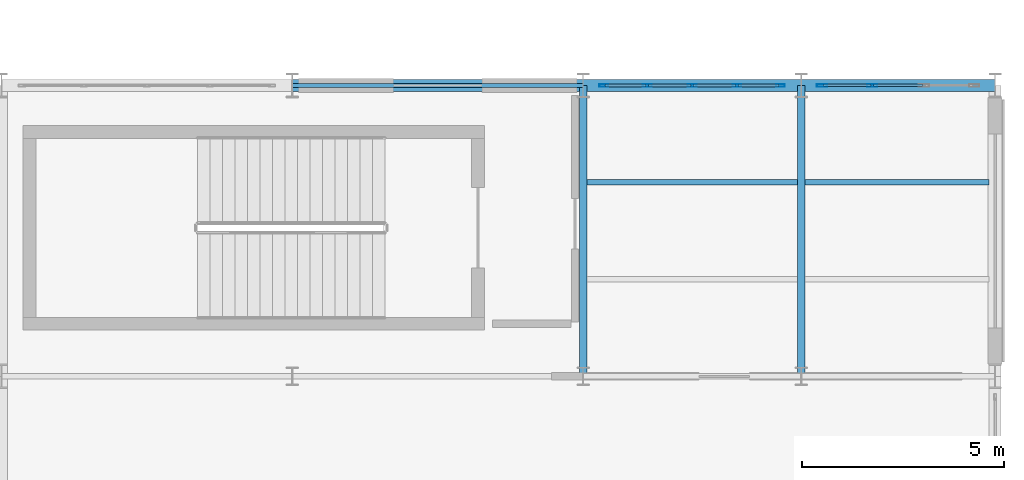
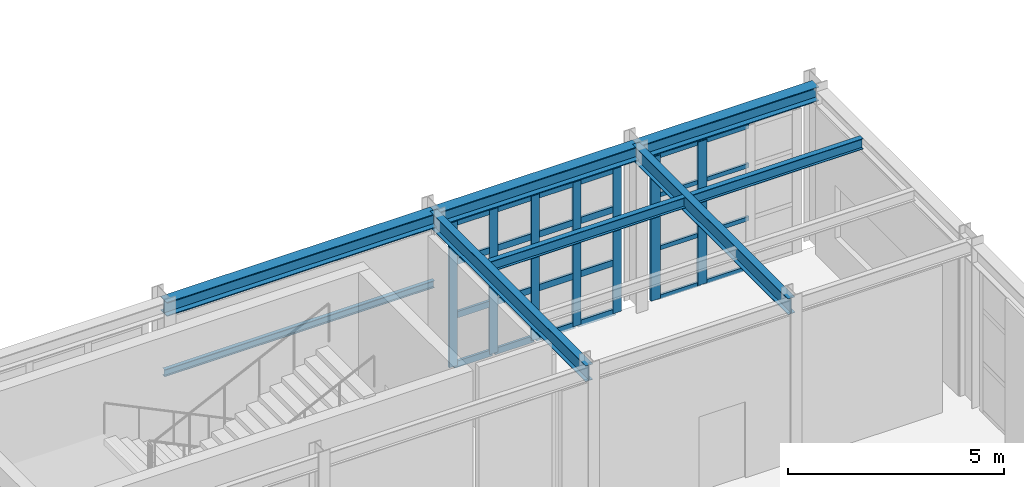
# One storey, part 45 of 83: 31 members, 8 beams, 2 elements without a shape of their own.
"""IFC4 building model written with IfcOpenShell, lengths in metres."""

from ifc_helpers import new_model, si_unit, direction, frame, origin, origin_2d, place, context, subcontext, project, spatial, hollow_rectangle, i_section, extrude, material, layer, layer_set, material_profile, profile_set, type_object, element, aggregate, save


model = new_model("IFC4")

# Units and contexts
model_context = context("Model", 3, precision=1e-05, world=origin(), true_north=direction((0.0, 1.0)))
body_context = subcontext(model_context, "Body", "Model", "MODEL_VIEW")
ifc_project = project(units=[si_unit("LENGTHUNIT", "METRE"), si_unit("AREAUNIT", "SQUARE_METRE"), si_unit("VOLUMEUNIT", "CUBIC_METRE"), si_unit("PLANEANGLEUNIT", "RADIAN"), si_unit("MASSUNIT", "GRAM", prefix="KILO")], contexts=[model_context])

# Site, building, storey
site_placement = place(None, origin())
site = spatial("IfcSite", under=ifc_project, at=site_placement, CompositionType="ELEMENT")
building_placement = place(site_placement, origin())
building = spatial("IfcBuilding", under=site, at=building_placement, Name="Solvadek Multi-Sports Hall", CompositionType="ELEMENT")
storey_placement = place(building_placement, origin())
storey = spatial("IfcBuildingStorey", under=building, at=storey_placement, Name="L00", CompositionType="ELEMENT", Elevation=0.0)

# Curtain wall, members
ifc_material_1 = material(Name="Anodised aluminium", Category="aluminium")
ifc_layer_1 = layer(ifc_material_1, 0.159912109375, Name="Anodised aluminium")
ifc_layer_set_1 = layer_set([ifc_layer_1], Name="Anodised aluminium")
curtain_wall_type_1 = type_object("IfcCurtainWallType", Name="ENV-CW-444X408", PredefinedType="USERDEFINED", material=ifc_layer_set_1)
curtain_wall_1_placement = place(storey_placement, origin())
curtain_wall_1 = element("IfcCurtainWall", 1, at=curtain_wall_1_placement, inside=storey, type_object=curtain_wall_type_1, Name="L00 Perimeter Bay Curtain Wall #136", ObjectType="CURTAIN WALL", PredefinedType="USERDEFINED")
ifc_material_profile_1 = material_profile(ifc_material_1, hollow_rectangle(XDim=0.06494140625, YDim=0.219970703125, WallThickness=0.0048828125, at=origin_2d()), Name="ALU-M 220x65x5")
ifc_profile_set_1 = profile_set([ifc_material_profile_1], Name="Anodised aluminium")
member_type_1 = type_object("IfcMemberType", Name="ENV-CWM-04", PredefinedType="MULLION", material=ifc_profile_set_1)
member_1_placement = place(storey_placement, frame((151.71240234375, 70.800048828125, 0.0), z_axis=(0.0, 0.0, 1.0), x_axis=(0.0, 1.0, 0.0)))
member_1 = element("IfcMember", 2, at=member_1_placement, type_object=member_type_1, Name="CW-45 mullion 1", PredefinedType="MULLION", context=body_context, shape_type="SweptSolid", body=[
    extrude(hollow_rectangle(XDim=0.06494140625, YDim=0.219970703125, WallThickness=0.0048828125, at=origin_2d()), origin(), (0.0, 0.0, 1.0), 4.074951171875),
])
member_2_placement = place(storey_placement, frame((152.7900390625, 70.800048828125, 0.0), z_axis=(0.0, 0.0, 1.0), x_axis=(0.0, 1.0, 0.0)))
member_2 = element("IfcMember", 3, at=member_2_placement, type_object=member_type_1, Name="CW-45 mullion 2", PredefinedType="MULLION", context=body_context, shape_type="SweptSolid", body=[
    extrude(hollow_rectangle(XDim=0.06494140625, YDim=0.219970703125, WallThickness=0.0048828125, at=origin_2d()), origin(), (0.0, 0.0, 1.0), 4.074951171875),
])
member_3_placement = place(storey_placement, frame((153.89990234375, 70.800048828125, 0.0), z_axis=(0.0, 0.0, 1.0), x_axis=(0.0, 1.0, 0.0)))
member_3 = element("IfcMember", 4, at=member_3_placement, type_object=member_type_1, Name="CW-45 mullion 3", PredefinedType="MULLION", context=body_context, shape_type="SweptSolid", body=[
    extrude(hollow_rectangle(XDim=0.06494140625, YDim=0.219970703125, WallThickness=0.0048828125, at=origin_2d()), origin(), (0.0, 0.0, 1.0), 4.074951171875),
])
member_4_placement = place(storey_placement, frame((155.010009765625, 70.800048828125, 0.0), z_axis=(0.0, 0.0, 1.0), x_axis=(0.0, 1.0, 0.0)))
member_4 = element("IfcMember", 5, at=member_4_placement, type_object=member_type_1, Name="CW-45 mullion 4", PredefinedType="MULLION", context=body_context, shape_type="SweptSolid", body=[
    extrude(hollow_rectangle(XDim=0.06494140625, YDim=0.219970703125, WallThickness=0.0048828125, at=origin_2d()), origin(), (0.0, 0.0, 1.0), 4.074951171875),
])
member_5_placement = place(storey_placement, frame((156.08740234375, 70.800048828125, 0.0), z_axis=(0.0, 0.0, 1.0), x_axis=(0.0, 1.0, 0.0)))
member_5 = element("IfcMember", 6, at=member_5_placement, type_object=member_type_1, Name="CW-45 mullion 5", PredefinedType="MULLION", context=body_context, shape_type="SweptSolid", body=[
    extrude(hollow_rectangle(XDim=0.06494140625, YDim=0.219970703125, WallThickness=0.0048828125, at=origin_2d()), origin(), (0.0, 0.0, 1.0), 4.074951171875),
])

ifc_layer_2 = layer(ifc_material_1, 0.159912109375, Name="Anodised aluminium")
ifc_layer_set_2 = layer_set([ifc_layer_2], Name="Anodised aluminium")
curtain_wall_type_2 = type_object("IfcCurtainWallType", Name="ENV-CW-384X405", PredefinedType="USERDEFINED", material=ifc_layer_set_2)
curtain_wall_2_placement = place(storey_placement, origin())
curtain_wall_2 = element("IfcCurtainWall", 7, at=curtain_wall_2_placement, inside=storey, type_object=curtain_wall_type_2, Name="L00 Perimeter Bay Curtain Wall #140", ObjectType="CURTAIN WALL", PredefinedType="USERDEFINED")
ifc_material_profile_2 = material_profile(ifc_material_1, hollow_rectangle(XDim=0.070068359375, YDim=0.25, WallThickness=0.0048828125, at=origin_2d()), Name="ALU-M 250x70x5")
ifc_profile_set_2 = profile_set([ifc_material_profile_2], Name="Anodised aluminium")
member_type_2 = type_object("IfcMemberType", Name="ENV-CWM-05", PredefinedType="MULLION", material=ifc_profile_set_2)
member_6_placement = place(storey_placement, frame((157.114990234375, 70.800048828125, 0.0), z_axis=(0.0, 0.0, 1.0), x_axis=(0.0, 1.0, 0.0)))
member_6 = element("IfcMember", 8, at=member_6_placement, type_object=member_type_2, Name="CW-48 mullion 1", PredefinedType="MULLION", context=body_context, shape_type="SweptSolid", body=[
    extrude(hollow_rectangle(XDim=0.070068359375, YDim=0.25, WallThickness=0.0048828125, at=origin_2d()), origin(), (0.0, 0.0, 1.0), 4.050048828125),
])
member_7_placement = place(storey_placement, frame((158.360107421875, 70.800048828125, 0.0), z_axis=(0.0, 0.0, 1.0), x_axis=(0.0, 1.0, 0.0)))
member_7 = element("IfcMember", 9, at=member_7_placement, type_object=member_type_2, Name="CW-48 mullion 2", PredefinedType="MULLION", context=body_context, shape_type="SweptSolid", body=[
    extrude(hollow_rectangle(XDim=0.070068359375, YDim=0.25, WallThickness=0.0048828125, at=origin_2d()), origin(), (0.0, 0.0, 1.0), 4.050048828125),
])
ifc_material_profile_3 = material_profile(ifc_material_1, hollow_rectangle(XDim=0.06005859375, YDim=0.1201171875, WallThickness=0.00390625, at=origin_2d()), Name="ALU-T 120x60x4")
ifc_profile_set_3 = profile_set([ifc_material_profile_3], Name="Anodised aluminium")
member_type_3 = type_object("IfcMemberType", Name="ENV-CWT-01", PredefinedType="USERDEFINED", material=ifc_profile_set_3)
member_8_placement = place(storey_placement, frame((157.14990234375, 70.800048828125, 0.030029296875), z_axis=(1.0, 0.0, 0.0), x_axis=(0.0, 1.0, 0.0)))
member_8 = element("IfcMember", 10, at=member_8_placement, type_object=member_type_3, Name="CW-48 transom 1.1", ObjectType="TRANSOM", PredefinedType="USERDEFINED", context=body_context, shape_type="SweptSolid", body=[
    extrude(hollow_rectangle(XDim=0.06005859375, YDim=0.1201171875, WallThickness=0.00390625, at=origin_2d()), origin(), (0.0, 0.0, 1.0), 1.175048828125),
])
member_9_placement = place(storey_placement, frame((157.14990234375, 70.800048828125, 1.4169921875), z_axis=(1.0, 0.0, 0.0), x_axis=(0.0, 1.0, 0.0)))
member_9 = element("IfcMember", 11, at=member_9_placement, type_object=member_type_3, Name="CW-48 transom 1.2", ObjectType="TRANSOM", PredefinedType="USERDEFINED", context=body_context, shape_type="SweptSolid", body=[
    extrude(hollow_rectangle(XDim=0.06005859375, YDim=0.1201171875, WallThickness=0.00390625, at=origin_2d()), origin(), (0.0, 0.0, 1.0), 1.175048828125),
])
member_10_placement = place(storey_placement, frame((157.14990234375, 70.800048828125, 2.916015625), z_axis=(1.0, 0.0, 0.0), x_axis=(0.0, 1.0, 0.0)))
member_10 = element("IfcMember", 12, at=member_10_placement, type_object=member_type_3, Name="CW-48 transom 1.3", ObjectType="TRANSOM", PredefinedType="USERDEFINED", context=body_context, shape_type="SweptSolid", body=[
    extrude(hollow_rectangle(XDim=0.06005859375, YDim=0.1201171875, WallThickness=0.00390625, at=origin_2d()), origin(), (0.0, 0.0, 1.0), 1.175048828125),
])
member_11_placement = place(storey_placement, frame((157.14990234375, 70.800048828125, 4.02001953125), z_axis=(1.0, 0.0, 0.0), x_axis=(0.0, 1.0, 0.0)))
member_11 = element("IfcMember", 13, at=member_11_placement, type_object=member_type_3, Name="CW-48 transom 1.4", ObjectType="TRANSOM", PredefinedType="USERDEFINED", context=body_context, shape_type="SweptSolid", body=[
    extrude(hollow_rectangle(XDim=0.06005859375, YDim=0.1201171875, WallThickness=0.00390625, at=origin_2d()), origin(), (0.0, 0.0, 1.0), 1.175048828125),
])
member_12_placement = place(storey_placement, frame((158.39501953125, 70.800048828125, 0.030029296875), z_axis=(1.0, 0.0, 0.0), x_axis=(0.0, 1.0, 0.0)))
member_12 = element("IfcMember", 14, at=member_12_placement, type_object=member_type_3, Name="CW-48 transom 2.1", ObjectType="TRANSOM", PredefinedType="USERDEFINED", context=body_context, shape_type="SweptSolid", body=[
    extrude(hollow_rectangle(XDim=0.06005859375, YDim=0.1201171875, WallThickness=0.00390625, at=origin_2d()), origin(), (0.0, 0.0, 1.0), 1.2099609375),
])
member_13_placement = place(storey_placement, frame((158.39501953125, 70.800048828125, 1.4169921875), z_axis=(1.0, 0.0, 0.0), x_axis=(0.0, 1.0, 0.0)))
member_13 = element("IfcMember", 15, at=member_13_placement, type_object=member_type_3, Name="CW-48 transom 2.2", ObjectType="TRANSOM", PredefinedType="USERDEFINED", context=body_context, shape_type="SweptSolid", body=[
    extrude(hollow_rectangle(XDim=0.06005859375, YDim=0.1201171875, WallThickness=0.00390625, at=origin_2d()), origin(), (0.0, 0.0, 1.0), 1.2099609375),
])
member_14_placement = place(storey_placement, frame((158.39501953125, 70.800048828125, 2.916015625), z_axis=(1.0, 0.0, 0.0), x_axis=(0.0, 1.0, 0.0)))
member_14 = element("IfcMember", 16, at=member_14_placement, type_object=member_type_3, Name="CW-48 transom 2.3", ObjectType="TRANSOM", PredefinedType="USERDEFINED", context=body_context, shape_type="SweptSolid", body=[
    extrude(hollow_rectangle(XDim=0.06005859375, YDim=0.1201171875, WallThickness=0.00390625, at=origin_2d()), origin(), (0.0, 0.0, 1.0), 1.2099609375),
])
member_15_placement = place(storey_placement, frame((158.39501953125, 70.800048828125, 4.02001953125), z_axis=(1.0, 0.0, 0.0), x_axis=(0.0, 1.0, 0.0)))
member_15 = element("IfcMember", 17, at=member_15_placement, type_object=member_type_3, Name="CW-48 transom 2.4", ObjectType="TRANSOM", PredefinedType="USERDEFINED", context=body_context, shape_type="SweptSolid", body=[
    extrude(hollow_rectangle(XDim=0.06005859375, YDim=0.1201171875, WallThickness=0.00390625, at=origin_2d()), origin(), (0.0, 0.0, 1.0), 1.2099609375),
])
aggregate(curtain_wall_2, [member_6, member_7, member_8, member_9, member_10, member_11, member_12, member_13, member_14, member_15])

# Member
ifc_material_profile_4 = material_profile(ifc_material_1, hollow_rectangle(XDim=0.06494140625, YDim=0.179931640625, WallThickness=0.0048828125, at=origin_2d()), Name="ALU-T 180x65x5")
ifc_profile_set_4 = profile_set([ifc_material_profile_4], Name="Anodised aluminium")
member_type_4 = type_object("IfcMemberType", Name="ENV-CWT-04", PredefinedType="USERDEFINED", material=ifc_profile_set_4)
member_16_placement = place(storey_placement, frame((151.7451171875, 70.800048828125, 0.032470703125), z_axis=(1.0, 0.0, 0.0), x_axis=(0.0, 1.0, 0.0)))
member_16 = element("IfcMember", 18, at=member_16_placement, type_object=member_type_4, Name="CW-45 transom 1.1", ObjectType="TRANSOM", PredefinedType="USERDEFINED", context=body_context, shape_type="SweptSolid", body=[
    extrude(hollow_rectangle(XDim=0.06494140625, YDim=0.179931640625, WallThickness=0.0048828125, at=origin_2d()), origin(), (0.0, 0.0, 1.0), 1.012451171875),
])

member_17_placement = place(storey_placement, frame((151.7451171875, 70.800048828125, 1.426025390625), z_axis=(1.0, 0.0, 0.0), x_axis=(0.0, 1.0, 0.0)))
member_17 = element("IfcMember", 19, at=member_17_placement, type_object=member_type_4, Name="CW-45 transom 1.2", ObjectType="TRANSOM", PredefinedType="USERDEFINED", context=body_context, shape_type="SweptSolid", body=[
    extrude(hollow_rectangle(XDim=0.06494140625, YDim=0.179931640625, WallThickness=0.0048828125, at=origin_2d()), origin(), (0.0, 0.0, 1.0), 1.012451171875),
])

member_18_placement = place(storey_placement, frame((151.7451171875, 70.800048828125, 2.93408203125), z_axis=(1.0, 0.0, 0.0), x_axis=(0.0, 1.0, 0.0)))
member_18 = element("IfcMember", 20, at=member_18_placement, type_object=member_type_4, Name="CW-45 transom 1.3", ObjectType="TRANSOM", PredefinedType="USERDEFINED", context=body_context, shape_type="SweptSolid", body=[
    extrude(hollow_rectangle(XDim=0.06494140625, YDim=0.179931640625, WallThickness=0.0048828125, at=origin_2d()), origin(), (0.0, 0.0, 1.0), 1.012451171875),
])

member_19_placement = place(storey_placement, frame((151.7451171875, 70.800048828125, 4.04248046875), z_axis=(1.0, 0.0, 0.0), x_axis=(0.0, 1.0, 0.0)))
member_19 = element("IfcMember", 21, at=member_19_placement, type_object=member_type_4, Name="CW-45 transom 1.4", ObjectType="TRANSOM", PredefinedType="USERDEFINED", context=body_context, shape_type="SweptSolid", body=[
    extrude(hollow_rectangle(XDim=0.06494140625, YDim=0.179931640625, WallThickness=0.0048828125, at=origin_2d()), origin(), (0.0, 0.0, 1.0), 1.012451171875),
])

member_20_placement = place(storey_placement, frame((152.822509765625, 70.800048828125, 0.032470703125), z_axis=(1.0, 0.0, 0.0), x_axis=(0.0, 1.0, 0.0)))
member_20 = element("IfcMember", 22, at=member_20_placement, type_object=member_type_4, Name="CW-45 transom 2.1", ObjectType="TRANSOM", PredefinedType="USERDEFINED", context=body_context, shape_type="SweptSolid", body=[
    extrude(hollow_rectangle(XDim=0.06494140625, YDim=0.179931640625, WallThickness=0.0048828125, at=origin_2d()), origin(), (0.0, 0.0, 1.0), 1.044921875),
])

member_21_placement = place(storey_placement, frame((152.822509765625, 70.800048828125, 1.426025390625), z_axis=(1.0, 0.0, 0.0), x_axis=(0.0, 1.0, 0.0)))
member_21 = element("IfcMember", 23, at=member_21_placement, type_object=member_type_4, Name="CW-45 transom 2.2", ObjectType="TRANSOM", PredefinedType="USERDEFINED", context=body_context, shape_type="SweptSolid", body=[
    extrude(hollow_rectangle(XDim=0.06494140625, YDim=0.179931640625, WallThickness=0.0048828125, at=origin_2d()), origin(), (0.0, 0.0, 1.0), 1.044921875),
])

member_22_placement = place(storey_placement, frame((152.822509765625, 70.800048828125, 2.93408203125), z_axis=(1.0, 0.0, 0.0), x_axis=(0.0, 1.0, 0.0)))
member_22 = element("IfcMember", 24, at=member_22_placement, type_object=member_type_4, Name="CW-45 transom 2.3", ObjectType="TRANSOM", PredefinedType="USERDEFINED", context=body_context, shape_type="SweptSolid", body=[
    extrude(hollow_rectangle(XDim=0.06494140625, YDim=0.179931640625, WallThickness=0.0048828125, at=origin_2d()), origin(), (0.0, 0.0, 1.0), 1.044921875),
])

member_23_placement = place(storey_placement, frame((152.822509765625, 70.800048828125, 4.04248046875), z_axis=(1.0, 0.0, 0.0), x_axis=(0.0, 1.0, 0.0)))
member_23 = element("IfcMember", 25, at=member_23_placement, type_object=member_type_4, Name="CW-45 transom 2.4", ObjectType="TRANSOM", PredefinedType="USERDEFINED", context=body_context, shape_type="SweptSolid", body=[
    extrude(hollow_rectangle(XDim=0.06494140625, YDim=0.179931640625, WallThickness=0.0048828125, at=origin_2d()), origin(), (0.0, 0.0, 1.0), 1.044921875),
])

member_24_placement = place(storey_placement, frame((153.9326171875, 70.800048828125, 0.032470703125), z_axis=(1.0, 0.0, 0.0), x_axis=(0.0, 1.0, 0.0)))
member_24 = element("IfcMember", 26, at=member_24_placement, type_object=member_type_4, Name="CW-45 transom 3.1", ObjectType="TRANSOM", PredefinedType="USERDEFINED", context=body_context, shape_type="SweptSolid", body=[
    extrude(hollow_rectangle(XDim=0.06494140625, YDim=0.179931640625, WallThickness=0.0048828125, at=origin_2d()), origin(), (0.0, 0.0, 1.0), 1.044921875),
])

member_25_placement = place(storey_placement, frame((153.9326171875, 70.800048828125, 1.426025390625), z_axis=(1.0, 0.0, 0.0), x_axis=(0.0, 1.0, 0.0)))
member_25 = element("IfcMember", 27, at=member_25_placement, type_object=member_type_4, Name="CW-45 transom 3.2", ObjectType="TRANSOM", PredefinedType="USERDEFINED", context=body_context, shape_type="SweptSolid", body=[
    extrude(hollow_rectangle(XDim=0.06494140625, YDim=0.179931640625, WallThickness=0.0048828125, at=origin_2d()), origin(), (0.0, 0.0, 1.0), 1.044921875),
])

member_26_placement = place(storey_placement, frame((153.9326171875, 70.800048828125, 2.93408203125), z_axis=(1.0, 0.0, 0.0), x_axis=(0.0, 1.0, 0.0)))
member_26 = element("IfcMember", 28, at=member_26_placement, type_object=member_type_4, Name="CW-45 transom 3.3", ObjectType="TRANSOM", PredefinedType="USERDEFINED", context=body_context, shape_type="SweptSolid", body=[
    extrude(hollow_rectangle(XDim=0.06494140625, YDim=0.179931640625, WallThickness=0.0048828125, at=origin_2d()), origin(), (0.0, 0.0, 1.0), 1.044921875),
])

member_27_placement = place(storey_placement, frame((153.9326171875, 70.800048828125, 4.04248046875), z_axis=(1.0, 0.0, 0.0), x_axis=(0.0, 1.0, 0.0)))
member_27 = element("IfcMember", 29, at=member_27_placement, type_object=member_type_4, Name="CW-45 transom 3.4", ObjectType="TRANSOM", PredefinedType="USERDEFINED", context=body_context, shape_type="SweptSolid", body=[
    extrude(hollow_rectangle(XDim=0.06494140625, YDim=0.179931640625, WallThickness=0.0048828125, at=origin_2d()), origin(), (0.0, 0.0, 1.0), 1.044921875),
])

member_28_placement = place(storey_placement, frame((155.04248046875, 70.800048828125, 0.032470703125), z_axis=(1.0, 0.0, 0.0), x_axis=(0.0, 1.0, 0.0)))
member_28 = element("IfcMember", 30, at=member_28_placement, type_object=member_type_4, Name="CW-45 transom 4.1", ObjectType="TRANSOM", PredefinedType="USERDEFINED", context=body_context, shape_type="SweptSolid", body=[
    extrude(hollow_rectangle(XDim=0.06494140625, YDim=0.179931640625, WallThickness=0.0048828125, at=origin_2d()), origin(), (0.0, 0.0, 1.0), 1.012451171875),
])

member_29_placement = place(storey_placement, frame((155.04248046875, 70.800048828125, 1.426025390625), z_axis=(1.0, 0.0, 0.0), x_axis=(0.0, 1.0, 0.0)))
member_29 = element("IfcMember", 31, at=member_29_placement, type_object=member_type_4, Name="CW-45 transom 4.2", ObjectType="TRANSOM", PredefinedType="USERDEFINED", context=body_context, shape_type="SweptSolid", body=[
    extrude(hollow_rectangle(XDim=0.06494140625, YDim=0.179931640625, WallThickness=0.0048828125, at=origin_2d()), origin(), (0.0, 0.0, 1.0), 1.012451171875),
])

member_30_placement = place(storey_placement, frame((155.04248046875, 70.800048828125, 2.93408203125), z_axis=(1.0, 0.0, 0.0), x_axis=(0.0, 1.0, 0.0)))
member_30 = element("IfcMember", 32, at=member_30_placement, type_object=member_type_4, Name="CW-45 transom 4.3", ObjectType="TRANSOM", PredefinedType="USERDEFINED", context=body_context, shape_type="SweptSolid", body=[
    extrude(hollow_rectangle(XDim=0.06494140625, YDim=0.179931640625, WallThickness=0.0048828125, at=origin_2d()), origin(), (0.0, 0.0, 1.0), 1.012451171875),
])

member_31_placement = place(storey_placement, frame((155.04248046875, 70.800048828125, 4.04248046875), z_axis=(1.0, 0.0, 0.0), x_axis=(0.0, 1.0, 0.0)))
member_31 = element("IfcMember", 33, at=member_31_placement, type_object=member_type_4, Name="CW-45 transom 4.4", ObjectType="TRANSOM", PredefinedType="USERDEFINED", context=body_context, shape_type="SweptSolid", body=[
    extrude(hollow_rectangle(XDim=0.06494140625, YDim=0.179931640625, WallThickness=0.0048828125, at=origin_2d()), origin(), (0.0, 0.0, 1.0), 1.012451171875),
])

aggregate(curtain_wall_1, [member_1, member_2, member_3, member_4, member_5, member_16, member_17, member_18, member_19, member_20, member_21, member_22, member_23, member_24, member_25, member_26, member_27, member_28, member_29, member_30, member_31])

# Beams
ifc_material_2 = material(Name="Steel E350 (350 MPa)", Category="steel")
ifc_material_profile_5 = material_profile(ifc_material_2, i_section(OverallWidth=0.18994140625, OverallDepth=0.449951171875, WebThickness=0.009521484375, FlangeThickness=0.0146484375, at=origin_2d()), Name="NPB 450")
ifc_profile_set_5 = profile_set([ifc_material_profile_5], Name="Steel E350 (350 MPa)")
beam_type_1 = type_object("IfcBeamType", Name="STR-BM-NPB450", PredefinedType="BEAM", material=ifc_profile_set_5)
for number, where, z_axis, x_axis, name in (
    (34, (151.199951171875, 63.60009765625, 4.35498046875), (0.0, 1.0, 0.0), (-1.0, 0.0, 0.0), "L00 Girder B-08 #938"),
    (35, (156.60009765625, 63.60009765625, 4.35498046875), (0.0, 1.0, 0.0), (-1.0, 0.0, 0.0), "L00 Girder B-08 #939"),
):
    element("IfcBeam", number, at=place(storey_placement, frame(where, z_axis=z_axis, x_axis=x_axis)), inside=storey, type_object=beam_type_1, Name=name, PredefinedType="BEAM", context=body_context, shape_type="SweptSolid", body=[
        extrude(i_section(OverallWidth=0.18994140625, OverallDepth=0.449951171875, WebThickness=0.009521484375, FlangeThickness=0.0146484375, at=origin_2d()), origin(), (0.0, 0.0, 1.0), 7.199951171875),
    ])
ifc_material_profile_6 = material_profile(ifc_material_2, i_section(OverallWidth=0.139892578125, OverallDepth=0.300048828125, WebThickness=0.0078125, FlangeThickness=0.01318359375, at=origin_2d()), Name="ISMB 300")
ifc_profile_set_6 = profile_set([ifc_material_profile_6], Name="Steel E350 (350 MPa)")
beam_type_2 = type_object("IfcBeamType", Name="STR-JST-ISMB300", PredefinedType="JOIST", material=ifc_profile_set_6)
beam_1_placement = place(storey_placement, frame((151.294921875, 68.39990234375, 4.429931640625), z_axis=(1.0, 0.0, 0.0), x_axis=(0.0, 1.0, 0.0)))
element("IfcBeam", 36, at=beam_1_placement, inside=storey, type_object=beam_type_2, Name="L00 Composite Joist J-03 #507", PredefinedType="JOIST", context=body_context, shape_type="SweptSolid", body=[
    extrude(i_section(OverallWidth=0.139892578125, OverallDepth=0.300048828125, WebThickness=0.0078125, FlangeThickness=0.01318359375, at=origin_2d()), origin(), (0.0, 0.0, 1.0), 5.2099609375),
])
beam_2_placement = place(storey_placement, frame((156.695068359375, 68.39990234375, 4.429931640625), z_axis=(1.0, 0.0, 0.0), x_axis=(0.0, 1.0, 0.0)))
element("IfcBeam", 37, at=beam_2_placement, inside=storey, type_object=beam_type_2, Name="L00 Composite Joist J-03 #509", PredefinedType="JOIST", context=body_context, shape_type="SweptSolid", body=[
    extrude(i_section(OverallWidth=0.139892578125, OverallDepth=0.300048828125, WebThickness=0.0078125, FlangeThickness=0.01318359375, at=origin_2d()), origin(), (0.0, 0.0, 1.0), 4.554931640625),
])
ifc_material_3 = material(Name="Steel E250 (250 MPa)", Category="steel")
ifc_material_profile_7 = material_profile(ifc_material_3, i_section(OverallWidth=0.10009765625, OverallDepth=0.199951171875, WebThickness=0.005615234375, FlangeThickness=0.0107421875, at=origin_2d()), Name="ISMB 200")
ifc_profile_set_7 = profile_set([ifc_material_profile_7], Name="Steel E250 (250 MPa)")
beam_type_3 = type_object("IfcBeamType", Name="STR-LIN-ISMB200", PredefinedType="LINTEL", material=ifc_profile_set_7)
beam_3_placement = place(storey_placement, frame((144.0, 70.800048828125, 2.52001953125), z_axis=(1.0, 0.0, 0.0), x_axis=(0.0, 1.0, 0.0)))
element("IfcBeam", 38, at=beam_3_placement, inside=storey, type_object=beam_type_3, Name="L00 Opening Lintel #18", PredefinedType="LINTEL", context=body_context, shape_type="SweptSolid", body=[
    extrude(i_section(OverallWidth=0.10009765625, OverallDepth=0.199951171875, WebThickness=0.005615234375, FlangeThickness=0.0107421875, at=origin_2d()), origin(), (0.0, 0.0, 1.0), 7.199951171875),
])
ifc_material_profile_8 = material_profile(ifc_material_2, i_section(OverallWidth=0.300048828125, OverallDepth=0.39990234375, WebThickness=0.013427734375, FlangeThickness=0.02392578125, at=origin_2d()), Name="WPB 400")
ifc_profile_set_8 = profile_set([ifc_material_profile_8], Name="Steel E350 (350 MPa)")
beam_type_4 = type_object("IfcBeamType", Name="STR-SPN-WPB400", PredefinedType="SPANDREL", material=ifc_profile_set_8)
beam_4_placement = place(storey_placement, frame((144.0, 70.800048828125, 4.3798828125), z_axis=(1.0, 0.0, 0.0), x_axis=(0.0, 1.0, 0.0)))
element("IfcBeam", 39, at=beam_4_placement, inside=storey, type_object=beam_type_4, Name="L00 Girder SP-02 #664", PredefinedType="SPANDREL", context=body_context, shape_type="SweptSolid", body=[
    extrude(i_section(OverallWidth=0.300048828125, OverallDepth=0.39990234375, WebThickness=0.013427734375, FlangeThickness=0.02392578125, at=origin_2d()), origin(), (0.0, 0.0, 1.0), 7.199951171875),
])
beam_5_placement = place(storey_placement, frame((151.199951171875, 70.800048828125, 4.3798828125), z_axis=(1.0, 0.0, 0.0), x_axis=(0.0, 1.0, 0.0)))
element("IfcBeam", 40, at=beam_5_placement, inside=storey, type_object=beam_type_4, Name="L00 Girder SP-02 #665", PredefinedType="SPANDREL", context=body_context, shape_type="SweptSolid", body=[
    extrude(i_section(OverallWidth=0.300048828125, OverallDepth=0.39990234375, WebThickness=0.013427734375, FlangeThickness=0.02392578125, at=origin_2d()), origin(), (0.0, 0.0, 1.0), 5.400146484375),
])
beam_6_placement = place(storey_placement, frame((156.60009765625, 70.800048828125, 4.3798828125), z_axis=(1.0, 0.0, 0.0), x_axis=(0.0, 1.0, 0.0)))
element("IfcBeam", 41, at=beam_6_placement, inside=storey, type_object=beam_type_4, Name="L00 Girder SP-02 #666", PredefinedType="SPANDREL", context=body_context, shape_type="SweptSolid", body=[
    extrude(i_section(OverallWidth=0.300048828125, OverallDepth=0.39990234375, WebThickness=0.013427734375, FlangeThickness=0.02392578125, at=origin_2d()), origin(), (0.0, 0.0, 1.0), 4.7998046875),
])

save(model, "model.ifc")
